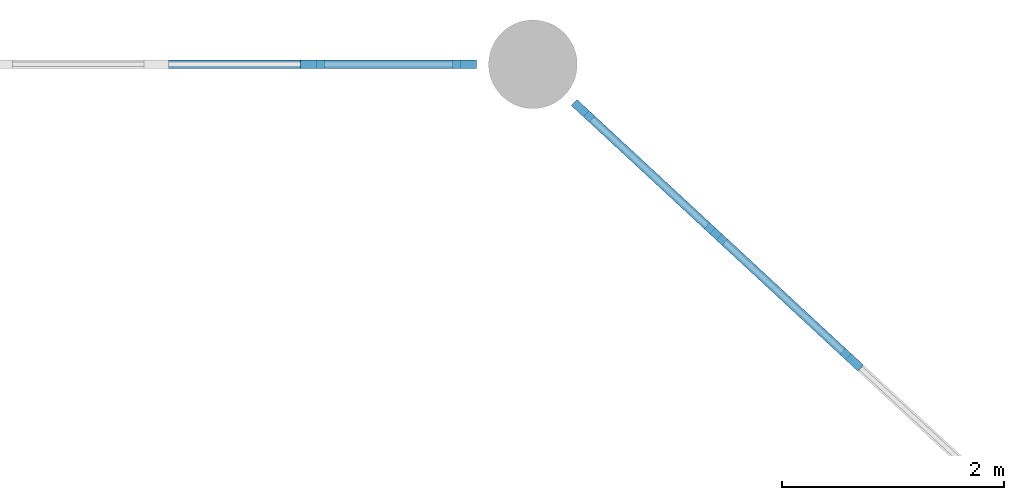
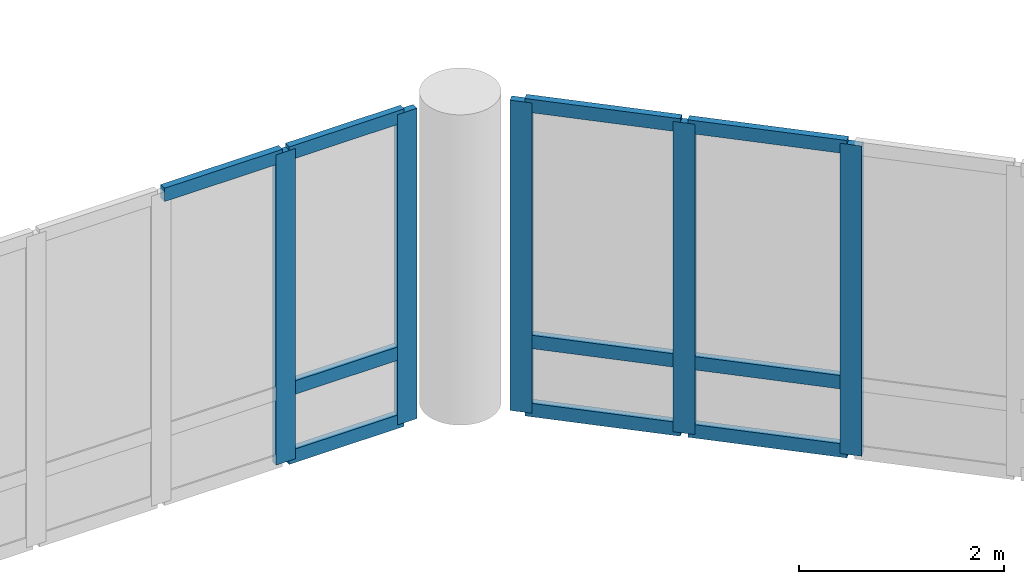
# One storey, part 20 of 49: 15 members, 2 elements without a shape of their own.
"""IFC4 building model written with IfcOpenShell, lengths in metres."""

from ifc_helpers import new_model, si_unit, direction, frame, origin, origin_2d, place, context, subcontext, project, spatial, rectangle, extrude, material, material_profile, profile_set, type_object, element, aggregate, save


model = new_model("IFC4")

# Units and contexts
model_context = context("Model", 3, precision=1e-05, world=origin(), true_north=direction((0.0, 1.0)))
body_context = subcontext(model_context, "Body", "Model", "MODEL_VIEW")
ifc_project = project(units=[si_unit("LENGTHUNIT", "METRE"), si_unit("AREAUNIT", "SQUARE_METRE"), si_unit("VOLUMEUNIT", "CUBIC_METRE"), si_unit("PLANEANGLEUNIT", "RADIAN"), si_unit("MASSUNIT", "GRAM", prefix="KILO")], contexts=[model_context])

# Site, building, storey
site_placement = place(None, origin())
site = spatial("IfcSite", under=ifc_project, at=site_placement, CompositionType="ELEMENT")
building_placement = place(site_placement, origin())
building = spatial("IfcBuilding", under=site, at=building_placement, Name="Qandaris Square Conservatory and Botanical Centre", CompositionType="ELEMENT")
storey_placement = place(building_placement, frame((0.0, 0.0, 10.199951171875)))
storey = spatial("IfcBuildingStorey", under=building, at=storey_placement, Name="L02", CompositionType="ELEMENT", Elevation=10.199951171875)

# Curtain wall, members
ifc_material = material(Name="Anodised Aluminium", Category="aluminium")
curtain_wall_type_1 = type_object("IfcCurtainWallType", Name="Unitised Curtain Wall CW-2-1002x370", PredefinedType="USERDEFINED", material=ifc_material)
curtain_wall_1_placement = place(storey_placement, origin())
curtain_wall_1 = element("IfcCurtainWall", 1, at=curtain_wall_1_placement, inside=storey, type_object=curtain_wall_type_1, Name="Curtain Wall CW-CON-L02-4-1", ObjectType="GLAZED CURTAIN WALL", PredefinedType="USERDEFINED")
ifc_material_profile_1 = material_profile(ifc_material, rectangle(XDim=0.074951171875, YDim=0.219970703125, at=origin_2d()), Name="ALU-MUL 75x220")
ifc_profile_set_1 = profile_set([ifc_material_profile_1], Name="Anodised Aluminium")
member_type_1 = type_object("IfcMemberType", Name="Conservatory Heavy Mullion 75x220", PredefinedType="MULLION", material=ifc_profile_set_1)
member_1_placement = place(storey_placement, frame((51.875244140625, 112.7353515625, 0.0), z_axis=(0.0, 0.0, 1.0), x_axis=(-0.679761784592, -0.733432966404, 0.0)))
member_1 = element("IfcMember", 2, at=member_1_placement, type_object=member_type_1, Name="CW-2-1002x370 mullion 5", PredefinedType="MULLION", context=body_context, shape_type="SweptSolid", body=[
    extrude(rectangle(XDim=0.074951171875, YDim=0.219970703125, at=origin_2d()), origin(), (0.0, 0.0, 1.0), 3.699951171875),
])
member_2_placement = place(storey_placement, frame((50.650146484375, 113.870361328125, 0.0), z_axis=(0.0, 0.0, 1.0), x_axis=(-0.679761784592, -0.733432966404, 0.0)))
member_2 = element("IfcMember", 3, at=member_2_placement, type_object=member_type_1, Name="CW-2-1002x370 mullion 6", PredefinedType="MULLION", context=body_context, shape_type="SweptSolid", body=[
    extrude(rectangle(XDim=0.074951171875, YDim=0.219970703125, at=origin_2d()), origin(), (0.0, 0.0, 1.0), 3.699951171875),
])
member_3_placement = place(storey_placement, frame((49.452880859375, 114.980224609375, 0.0), z_axis=(0.0, 0.0, 1.0), x_axis=(-0.679761784592, -0.733432966404, 0.0)))
member_3 = element("IfcMember", 4, at=member_3_placement, type_object=member_type_1, Name="CW-2-1002x370 mullion 7", PredefinedType="MULLION", context=body_context, shape_type="SweptSolid", body=[
    extrude(rectangle(XDim=0.074951171875, YDim=0.219970703125, at=origin_2d()), origin(), (0.0, 0.0, 1.0), 3.699951171875),
])

curtain_wall_type_2 = type_object("IfcCurtainWallType", Name="Unitised Curtain Wall CW-2-704x370", PredefinedType="USERDEFINED", material=ifc_material)
curtain_wall_2_placement = place(storey_placement, origin())
curtain_wall_2 = element("IfcCurtainWall", 5, at=curtain_wall_2_placement, inside=storey, type_object=curtain_wall_type_2, Name="Curtain Wall CW-CON-L02-5-1", ObjectType="GLAZED CURTAIN WALL", PredefinedType="USERDEFINED")
member_4_placement = place(storey_placement, frame((48.382568359375, 115.39990234375, 0.0), z_axis=(0.0, 0.0, 1.0), x_axis=(0.0, -1.0, 0.0)))
member_4 = element("IfcMember", 6, at=member_4_placement, type_object=member_type_1, Name="CW-2-704x370 mullion 1", PredefinedType="MULLION", context=body_context, shape_type="SweptSolid", body=[
    extrude(rectangle(XDim=0.074951171875, YDim=0.219970703125, at=origin_2d()), origin(), (0.0, 0.0, 1.0), 3.699951171875),
])
member_5_placement = place(storey_placement, frame((47.011962890625, 115.39990234375, 0.0), z_axis=(0.0, 0.0, 1.0), x_axis=(0.0, -1.0, 0.0)))
member_5 = element("IfcMember", 7, at=member_5_placement, type_object=member_type_1, Name="CW-2-704x370 mullion 2", PredefinedType="MULLION", context=body_context, shape_type="SweptSolid", body=[
    extrude(rectangle(XDim=0.074951171875, YDim=0.219970703125, at=origin_2d()), origin(), (0.0, 0.0, 1.0), 3.699951171875),
])

# Member
ifc_material_profile_2 = material_profile(ifc_material, rectangle(XDim=0.074951171875, YDim=0.159912109375, at=origin_2d()), Name="ALU-TRN 75x160")
ifc_profile_set_2 = profile_set([ifc_material_profile_2], Name="Anodised Aluminium")
member_type_2 = type_object("IfcMemberType", Name="Conservatory Heavy Transom 75x160", PredefinedType="USERDEFINED", material=ifc_profile_set_2)
member_6_placement = place(storey_placement, frame((51.84765625, 112.7607421875, 0.03759765625), z_axis=(-0.733458213943, 0.679734542597, 0.0), x_axis=(-0.679734542597, -0.733458213943, 0.0)))
member_6 = element("IfcMember", 8, at=member_6_placement, type_object=member_type_2, Name="CW-2-1002x370 transom 5.1", ObjectType="TRANSOM", PredefinedType="USERDEFINED", context=body_context, shape_type="SweptSolid", body=[
    extrude(rectangle(XDim=0.074951171875, YDim=0.159912109375, at=origin_2d()), origin(), (0.0, 0.0, 1.0), 1.594970703125),
])

member_7_placement = place(storey_placement, frame((51.84765625, 112.7607421875, 0.85009765625), z_axis=(-0.733458213943, 0.679734542597, 0.0), x_axis=(-0.679734542597, -0.733458213943, 0.0)))
member_7 = element("IfcMember", 9, at=member_7_placement, type_object=member_type_2, Name="CW-2-1002x370 transom 5.2", ObjectType="TRANSOM", PredefinedType="USERDEFINED", context=body_context, shape_type="SweptSolid", body=[
    extrude(rectangle(XDim=0.074951171875, YDim=0.159912109375, at=origin_2d()), origin(), (0.0, 0.0, 1.0), 1.594970703125),
])

member_8_placement = place(storey_placement, frame((51.84765625, 112.7607421875, 3.66259765625), z_axis=(-0.733458213943, 0.679734542597, 0.0), x_axis=(-0.679734542597, -0.733458213943, 0.0)))
member_8 = element("IfcMember", 10, at=member_8_placement, type_object=member_type_2, Name="CW-2-1002x370 transom 5.3", ObjectType="TRANSOM", PredefinedType="USERDEFINED", context=body_context, shape_type="SweptSolid", body=[
    extrude(rectangle(XDim=0.074951171875, YDim=0.159912109375, at=origin_2d()), origin(), (0.0, 0.0, 1.0), 1.594970703125),
])

member_9_placement = place(storey_placement, frame((50.622802734375, 113.89599609375, 0.03759765625), z_axis=(-0.733401706001, 0.679795511632, 0.0), x_axis=(-0.679795511632, -0.733401706001, 0.0)))
member_9 = element("IfcMember", 11, at=member_9_placement, type_object=member_type_2, Name="CW-2-1002x370 transom 6.1", ObjectType="TRANSOM", PredefinedType="USERDEFINED", context=body_context, shape_type="SweptSolid", body=[
    extrude(rectangle(XDim=0.074951171875, YDim=0.159912109375, at=origin_2d()), origin(), (0.0, 0.0, 1.0), 1.5576171875),
])

member_10_placement = place(storey_placement, frame((50.622802734375, 113.89599609375, 0.85009765625), z_axis=(-0.733401706001, 0.679795511632, 0.0), x_axis=(-0.679795511632, -0.733401706001, 0.0)))
member_10 = element("IfcMember", 12, at=member_10_placement, type_object=member_type_2, Name="CW-2-1002x370 transom 6.2", ObjectType="TRANSOM", PredefinedType="USERDEFINED", context=body_context, shape_type="SweptSolid", body=[
    extrude(rectangle(XDim=0.074951171875, YDim=0.159912109375, at=origin_2d()), origin(), (0.0, 0.0, 1.0), 1.5576171875),
])

member_11_placement = place(storey_placement, frame((50.622802734375, 113.89599609375, 3.66259765625), z_axis=(-0.733401706001, 0.679795511632, 0.0), x_axis=(-0.679795511632, -0.733401706001, 0.0)))
member_11 = element("IfcMember", 13, at=member_11_placement, type_object=member_type_2, Name="CW-2-1002x370 transom 6.3", ObjectType="TRANSOM", PredefinedType="USERDEFINED", context=body_context, shape_type="SweptSolid", body=[
    extrude(rectangle(XDim=0.074951171875, YDim=0.159912109375, at=origin_2d()), origin(), (0.0, 0.0, 1.0), 1.5576171875),
])

aggregate(curtain_wall_1, [member_1, member_2, member_3, member_6, member_7, member_8, member_9, member_10, member_11])

member_12_placement = place(storey_placement, frame((48.344970703125, 115.39990234375, 0.03759765625), z_axis=(-1.0, 0.0, 0.0), x_axis=(0.0, -1.0, 0.0)))
member_12 = element("IfcMember", 14, at=member_12_placement, type_object=member_type_2, Name="CW-2-704x370 transom 1.1", ObjectType="TRANSOM", PredefinedType="USERDEFINED", context=body_context, shape_type="SweptSolid", body=[
    extrude(rectangle(XDim=0.074951171875, YDim=0.159912109375, at=origin_2d()), origin(), (0.0, 0.0, 1.0), 1.29541015625),
])

member_13_placement = place(storey_placement, frame((48.344970703125, 115.39990234375, 0.85009765625), z_axis=(-1.0, 0.0, 0.0), x_axis=(0.0, -1.0, 0.0)))
member_13 = element("IfcMember", 15, at=member_13_placement, type_object=member_type_2, Name="CW-2-704x370 transom 1.2", ObjectType="TRANSOM", PredefinedType="USERDEFINED", context=body_context, shape_type="SweptSolid", body=[
    extrude(rectangle(XDim=0.074951171875, YDim=0.159912109375, at=origin_2d()), origin(), (0.0, 0.0, 1.0), 1.29541015625),
])

member_14_placement = place(storey_placement, frame((48.344970703125, 115.39990234375, 3.66259765625), z_axis=(-1.0, 0.0, 0.0), x_axis=(0.0, -1.0, 0.0)))
member_14 = element("IfcMember", 16, at=member_14_placement, type_object=member_type_2, Name="CW-2-704x370 transom 1.3", ObjectType="TRANSOM", PredefinedType="USERDEFINED", context=body_context, shape_type="SweptSolid", body=[
    extrude(rectangle(XDim=0.074951171875, YDim=0.159912109375, at=origin_2d()), origin(), (0.0, 0.0, 1.0), 1.29541015625),
])

member_15_placement = place(storey_placement, frame((46.974609375, 115.39990234375, 3.66259765625), z_axis=(-1.0, 0.0, 0.0), x_axis=(0.0, -1.0, 0.0)))
member_15 = element("IfcMember", 17, at=member_15_placement, type_object=member_type_2, Name="CW-2-704x370 transom 2.3", ObjectType="TRANSOM", PredefinedType="USERDEFINED", context=body_context, shape_type="SweptSolid", body=[
    extrude(rectangle(XDim=0.074951171875, YDim=0.159912109375, at=origin_2d()), origin(), (0.0, 0.0, 1.0), 1.3330078125),
])

aggregate(curtain_wall_2, [member_4, member_5, member_12, member_13, member_14, member_15])

save(model, "model.ifc")
